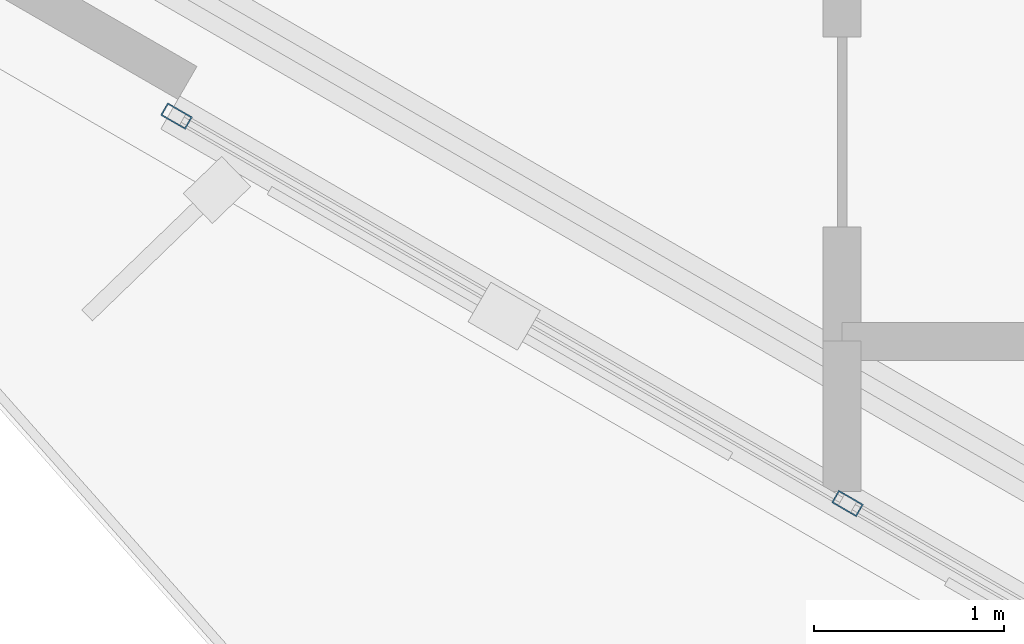
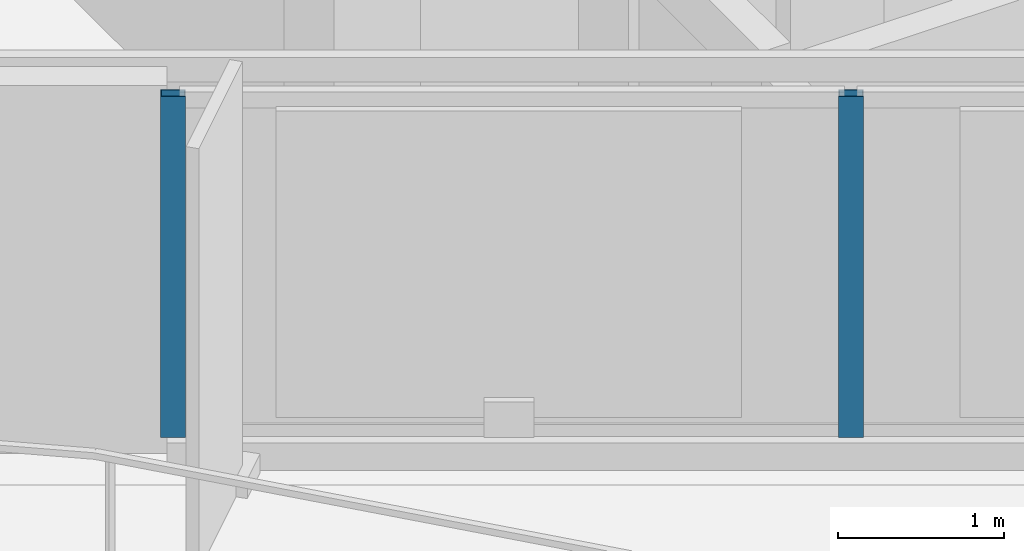
# One storey, part 2 of 17: 2 members, 1 element without a shape of its own.
"""IFC4 building model written with IfcOpenShell, lengths in metres."""

from ifc_helpers import new_model, si_unit, direction, frame, origin, origin_2d, place, context, subcontext, project, spatial, hollow_rectangle, extrude, material, layer, layer_set, material_profile, profile_set, type_object, element, aggregate, save


model = new_model("IFC4")

# Units and contexts
model_context = context("Model", 3, precision=1e-05, world=origin(), true_north=direction((0.0, 1.0)))
body_context = subcontext(model_context, "Body", "Model", "MODEL_VIEW")
ifc_project = project(units=[si_unit("LENGTHUNIT", "METRE"), si_unit("AREAUNIT", "SQUARE_METRE"), si_unit("VOLUMEUNIT", "CUBIC_METRE"), si_unit("PLANEANGLEUNIT", "RADIAN"), si_unit("MASSUNIT", "GRAM", prefix="KILO")], contexts=[model_context])

# Site, building, storey
site_placement = place(None, origin())
site = spatial("IfcSite", under=ifc_project, at=site_placement, CompositionType="ELEMENT")
building_placement = place(site_placement, origin())
building = spatial("IfcBuilding", under=site, at=building_placement, Name="Mersakhor Tower and Convention Hall", CompositionType="ELEMENT")
storey_placement = place(building_placement, frame((0.0, 0.0, 223.199951171875)))
storey = spatial("IfcBuildingStorey", under=building, at=storey_placement, Name="L62", CompositionType="ELEMENT", Elevation=223.199951171875)

# Curtain wall, members
ifc_material_1 = material(Name="Dark solar low-E aluminium curtain wall", Category="aluminium")
ifc_layer = layer(ifc_material_1, 0.179931640625)
ifc_layer_set = layer_set([ifc_layer], Name="Dark solar low-E aluminium curtain wall")
curtain_wall_type = type_object("IfcCurtainWallType", Name="CW-SYS-03", PredefinedType="USERDEFINED", material=ifc_layer_set)
curtain_wall_placement = place(storey_placement, origin())
curtain_wall = element("IfcCurtainWall", 1, at=curtain_wall_placement, inside=storey, type_object=curtain_wall_type, Name="L62 Dark-Glass Curtain Wall F3-B2", ObjectType="CURTAIN WALL", PredefinedType="USERDEFINED")
ifc_material_2 = material(Name="Anodised aluminium EN AW-6063 T6", Category="aluminium")
ifc_material_profile = material_profile(ifc_material_2, hollow_rectangle(XDim=0.074951171875, YDim=0.14990234375, WallThickness=0.00634765625, at=origin_2d()), Name="RHS 150x75x6.3")
ifc_profile_set = profile_set([ifc_material_profile], Name="Anodised aluminium EN AW-6063 T6")
member_type = type_object("IfcMemberType", Name="CWM-150x75", PredefinedType="MULLION", material=ifc_profile_set)
member_1_placement = place(storey_placement, frame((23.628662109375, 17.446533203125, 0.199951171875), z_axis=(0.0, 0.0, 1.0), x_axis=(-0.500004411169, -0.86602285698, 0.0)))
member_1 = element("IfcMember", 2, at=member_1_placement, type_object=member_type, Name="CW-03 mullion 2", PredefinedType="MULLION", context=body_context, shape_type="SweptSolid", body=[
    extrude(hollow_rectangle(XDim=0.074951171875, YDim=0.14990234375, WallThickness=0.00634765625, at=origin_2d()), origin(), (0.0, 0.0, 1.0), 2.5),
])
member_2_placement = place(storey_placement, frame((20.098388671875, 19.484619140625, 0.199951171875), z_axis=(0.0, 0.0, 1.0), x_axis=(-0.500004411169, -0.86602285698, 0.0)))
member_2 = element("IfcMember", 3, at=member_2_placement, type_object=member_type, Name="CW-03 mullion 3", PredefinedType="MULLION", context=body_context, shape_type="SweptSolid", body=[
    extrude(hollow_rectangle(XDim=0.074951171875, YDim=0.14990234375, WallThickness=0.00634765625, at=origin_2d()), origin(), (0.0, 0.0, 1.0), 2.5),
])
aggregate(curtain_wall, [member_1, member_2])

save(model, "model.ifc")
